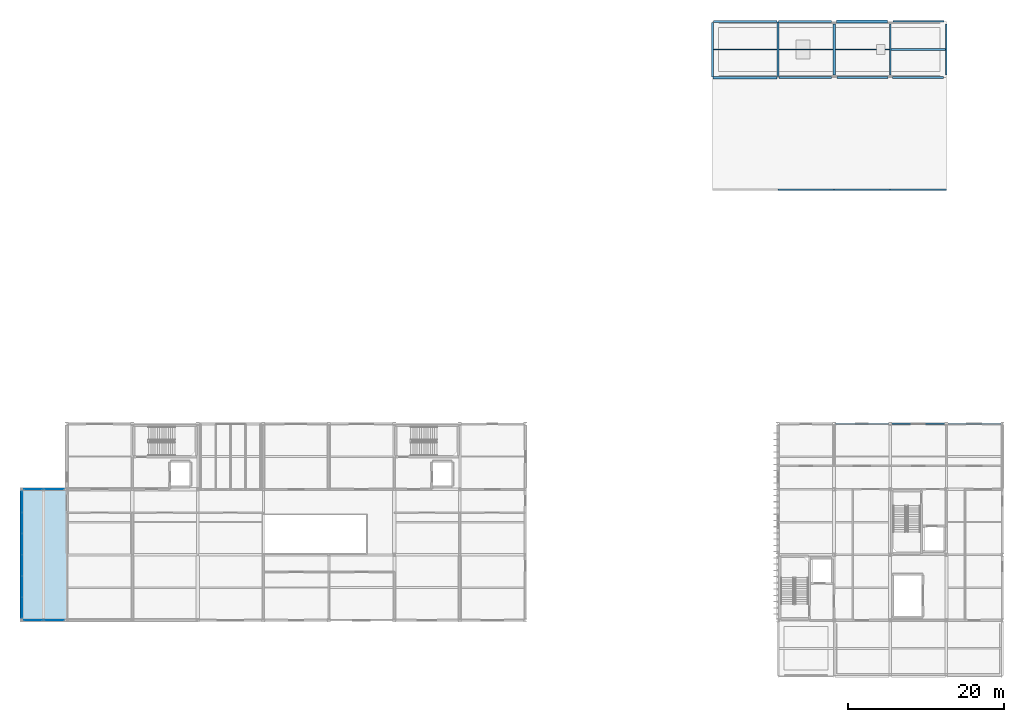
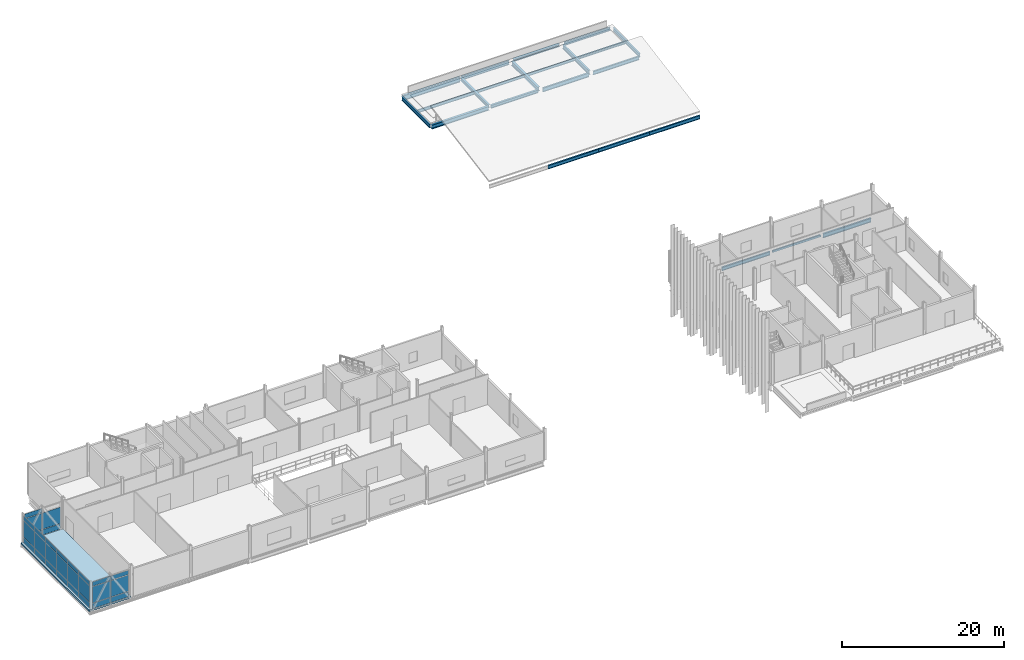
# One storey, part 18 of 45: 29 plates, 23 beams, 1 slab, 3 elements without a shape of their own.
"""IFC4 building model written with IfcOpenShell, lengths in metres."""

from ifc_helpers import new_model, si_unit, direction, frame, origin, origin_2d, place, context, subcontext, project, spatial, polyline, rectangle, hollow_rectangle, i_section, outline, extrude, material, layer, layer_set, material_profile, profile_set, type_object, element, aggregate, save


model = new_model("IFC4")

# Units and contexts
model_context = context("Model", 3, precision=1e-05, world=origin(), true_north=direction((0.0, 1.0)))
body_context = subcontext(model_context, "Body", "Model", "MODEL_VIEW")
ifc_project = project(units=[si_unit("LENGTHUNIT", "METRE"), si_unit("AREAUNIT", "SQUARE_METRE"), si_unit("VOLUMEUNIT", "CUBIC_METRE"), si_unit("PLANEANGLEUNIT", "RADIAN"), si_unit("MASSUNIT", "GRAM", prefix="KILO")], contexts=[model_context])

# Site, building, storey
site_placement = place(None, origin())
site = spatial("IfcSite", under=ifc_project, at=site_placement, CompositionType="ELEMENT")
building_placement = place(site_placement, origin())
building = spatial("IfcBuilding", under=site, at=building_placement, Name="Calvrana Isthmian Art Gallery", CompositionType="ELEMENT")
storey_placement = place(building_placement, frame((0.0, 0.0, 19.800048828125)))
storey = spatial("IfcBuildingStorey", under=building, at=storey_placement, Name="L04", CompositionType="ELEMENT", Elevation=19.800048828125)

# Beams
ifc_material_1 = material(Name="Steel ASTM A992 Gr 50", Category="steel")
ifc_material_profile_1 = material_profile(ifc_material_1, i_section(OverallWidth=0.279052734375, OverallDepth=0.4619140625, WebThickness=0.0107421875, FlangeThickness=0.017333984375, FilletRadius=0.02001953125, at=origin_2d()), Name="W18X76")
ifc_profile_set_1 = profile_set([ifc_material_profile_1], Name="Steel ASTM A992 Gr 50")
beam_type_1 = type_object("IfcBeamType", Name="BM-G-W18X76", PredefinedType="BEAM", material=ifc_profile_set_1)
beam_1_placement = place(storey_placement, frame((112.952392578125, 91.199951171875, -0.49609375), z_axis=(1.0, 0.0, 0.0), x_axis=(0.0, 1.0, 0.0)))
element("IfcBeam", 1, at=beam_1_placement, inside=storey, type_object=beam_type_1, Name="Girder X L04 15-16/M", PredefinedType="BEAM", context=body_context, shape_type="SweptSolid", body=[
    extrude(i_section(OverallWidth=0.279052734375, OverallDepth=0.4619140625, WebThickness=0.0107421875, FlangeThickness=0.017333984375, FilletRadius=0.02001953125, at=origin_2d()), origin(), (0.0, 0.0, 1.0), 6.697509765625),
])
beam_2_placement = place(storey_placement, frame((112.800048828125, 91.352294921875, -0.49609375), z_axis=(0.0, 1.0, 0.0), x_axis=(-1.0, 0.0, 0.0)))
element("IfcBeam", 2, at=beam_2_placement, inside=storey, type_object=beam_type_1, Name="Girder Y L04 15/M-N", PredefinedType="BEAM", context=body_context, shape_type="SweptSolid", body=[
    extrude(i_section(OverallWidth=0.279052734375, OverallDepth=0.4619140625, WebThickness=0.0107421875, FlangeThickness=0.017333984375, FilletRadius=0.02001953125, at=origin_2d()), origin(), (0.0, 0.0, 1.0), 6.946044921875),
])
ifc_material_profile_2 = material_profile(ifc_material_1, i_section(OverallWidth=0.208984375, OverallDepth=0.532958984375, WebThickness=0.01025390625, FlangeThickness=0.015625, FilletRadius=0.02099609375, at=origin_2d()), Name="W21X62")
ifc_profile_set_2 = profile_set([ifc_material_profile_2], Name="Steel ASTM A992 Gr 50")
beam_type_2 = type_object("IfcBeamType", Name="BM-G-W21X62", PredefinedType="BEAM", material=ifc_profile_set_2)
beam_3_placement = place(storey_placement, frame((120.1865234375, 46.800048828125, -0.531494140625), z_axis=(1.0, 0.0, 0.0), x_axis=(0.0, 1.0, 0.0)))
element("IfcBeam", 3, at=beam_3_placement, inside=storey, type_object=beam_type_2, Name="Girder X L04 16-17/G", PredefinedType="BEAM", context=body_context, shape_type="SweptSolid", body=[
    extrude(i_section(OverallWidth=0.208984375, OverallDepth=0.532958984375, WebThickness=0.01025390625, FlangeThickness=0.015625, FilletRadius=0.02099609375, at=origin_2d()), origin(), (0.0, 0.0, 1.0), 6.826904296875),
])
beam_4_placement = place(storey_placement, frame((127.550048828125, 98.39990234375, -0.531494140625), z_axis=(1.0, 0.0, 0.0), x_axis=(0.0, 1.0, 0.0)))
element("IfcBeam", 4, at=beam_4_placement, inside=storey, type_object=beam_type_2, Name="Girder X L04 17-18/N", PredefinedType="BEAM", context=body_context, shape_type="SweptSolid", body=[
    extrude(i_section(OverallWidth=0.208984375, OverallDepth=0.532958984375, WebThickness=0.01025390625, FlangeThickness=0.015625, FilletRadius=0.02099609375, at=origin_2d()), origin(), (0.0, 0.0, 1.0), 6.550048828125),
])
beam_5_placement = place(storey_placement, frame((104.39990234375, 91.301513671875, -0.531494140625), z_axis=(0.0, 1.0, 0.0), x_axis=(-1.0, 0.0, 0.0)))
element("IfcBeam", 5, at=beam_5_placement, inside=storey, type_object=beam_type_2, Name="Girder Y L04 14/M-N", PredefinedType="BEAM", context=body_context, shape_type="SweptSolid", body=[
    extrude(i_section(OverallWidth=0.208984375, OverallDepth=0.532958984375, WebThickness=0.01025390625, FlangeThickness=0.015625, FilletRadius=0.02099609375, at=origin_2d()), origin(), (0.0, 0.0, 1.0), 6.971435546875),
])
beam_6_placement = place(storey_placement, frame((134.39990234375, 91.550048828125, -0.531494140625), z_axis=(0.0, 1.0, 0.0), x_axis=(-1.0, 0.0, 0.0)))
element("IfcBeam", 6, at=beam_6_placement, inside=storey, type_object=beam_type_2, Name="Girder Y L04 18/M-N", PredefinedType="BEAM", context=body_context, shape_type="SweptSolid", body=[
    extrude(i_section(OverallWidth=0.208984375, OverallDepth=0.532958984375, WebThickness=0.01025390625, FlangeThickness=0.015625, FilletRadius=0.02099609375, at=origin_2d()), origin(), (0.0, 0.0, 1.0), 6.550048828125),
])
for number, where, z_axis, x_axis, name in (
    (7, (112.800048828125, 76.800048828125, -0.820068359375), (1.0, 0.0, 0.0), (0.0, 1.0, 0.0), "Sloped roof rafter SROOF_V5_CLER-32"),
    (8, (120.0, 76.800048828125, -0.820068359375), (1.0, 0.0, 0.0), (0.0, 1.0, 0.0), "Sloped roof rafter SROOF_V5_CLER-33"),
    (9, (127.199951171875, 76.800048828125, -0.820068359375), (1.0, 0.0, 0.0), (0.0, 1.0, 0.0), "Sloped roof rafter SROOF_V5_CLER-34"),
):
    element("IfcBeam", number, at=place(storey_placement, frame(where, z_axis=z_axis, x_axis=x_axis)), inside=storey, type_object=beam_type_2, Name=name, PredefinedType="BEAM", context=body_context, shape_type="SweptSolid", body=[
        extrude(i_section(OverallWidth=0.208984375, OverallDepth=0.532958984375, WebThickness=0.01025390625, FlangeThickness=0.015625, FilletRadius=0.02099609375, at=origin_2d()), origin(), (0.0, 0.0, 1.0), 7.199951171875),
    ])
ifc_material_profile_3 = material_profile(ifc_material_1, i_section(OverallWidth=0.214111328125, OverallDepth=0.549072265625, WebThickness=0.0146484375, FlangeThickness=0.023681640625, FilletRadius=0.02099609375, at=origin_2d()), Name="W21X93")
ifc_profile_set_3 = profile_set([ifc_material_profile_3], Name="Steel ASTM A992 Gr 50")
beam_type_3 = type_object("IfcBeamType", Name="BM-G-W21X93", PredefinedType="BEAM", material=ifc_profile_set_3)
beam_7_placement = place(storey_placement, frame((127.5, 91.199951171875, -0.53955078125), z_axis=(1.0, 0.0, 0.0), x_axis=(0.0, 1.0, 0.0)))
element("IfcBeam", 10, at=beam_7_placement, inside=storey, type_object=beam_type_3, Name="Girder X L04 17-18/M", PredefinedType="BEAM", context=body_context, shape_type="SweptSolid", body=[
    extrude(i_section(OverallWidth=0.214111328125, OverallDepth=0.549072265625, WebThickness=0.0146484375, FlangeThickness=0.023681640625, FilletRadius=0.02099609375, at=origin_2d()), origin(), (0.0, 0.0, 1.0), 6.550048828125),
])
ifc_material_profile_4 = material_profile(ifc_material_1, i_section(OverallWidth=0.324951171875, OverallDepth=0.612060546875, WebThickness=0.0126953125, FlangeThickness=0.01904296875, FilletRadius=0.02197265625, at=origin_2d()), Name="W24X104")
ifc_profile_set_4 = profile_set([ifc_material_profile_4], Name="Steel ASTM A992 Gr 50")
beam_type_4 = type_object("IfcBeamType", Name="BM-G-W24X104", PredefinedType="BEAM", material=ifc_profile_set_4)
beam_8_placement = place(storey_placement, frame((104.501708984375, 91.199951171875, -0.571044921875), z_axis=(1.0, 0.0, 0.0), x_axis=(0.0, 1.0, 0.0)))
element("IfcBeam", 11, at=beam_8_placement, inside=storey, type_object=beam_type_4, Name="Girder X L04 14-15/M", PredefinedType="BEAM", context=body_context, shape_type="SweptSolid", body=[
    extrude(i_section(OverallWidth=0.324951171875, OverallDepth=0.612060546875, WebThickness=0.0126953125, FlangeThickness=0.01904296875, FilletRadius=0.02197265625, at=origin_2d()), origin(), (0.0, 0.0, 1.0), 8.14599609375),
])
beam_9_placement = place(storey_placement, frame((120.0, 91.550048828125, -0.571044921875), z_axis=(0.0, 1.0, 0.0), x_axis=(-1.0, 0.0, 0.0)))
element("IfcBeam", 12, at=beam_9_placement, inside=storey, type_object=beam_type_4, Name="Girder Y L04 16/M-N", PredefinedType="BEAM", context=body_context, shape_type="SweptSolid", body=[
    extrude(i_section(OverallWidth=0.324951171875, OverallDepth=0.612060546875, WebThickness=0.0126953125, FlangeThickness=0.01904296875, FilletRadius=0.02197265625, at=origin_2d()), origin(), (0.0, 0.0, 1.0), 6.550048828125),
])
ifc_material_profile_5 = material_profile(ifc_material_1, i_section(OverallWidth=0.22802734375, OverallDepth=0.60693359375, WebThickness=0.01123046875, FlangeThickness=0.017333984375, FilletRadius=0.02197265625, at=origin_2d()), Name="W24X76")
ifc_profile_set_5 = profile_set([ifc_material_profile_5], Name="Steel ASTM A992 Gr 50")
beam_type_5 = type_object("IfcBeamType", Name="BM-G-W24X76", PredefinedType="BEAM", material=ifc_profile_set_5)
beam_10_placement = place(storey_placement, frame((134.58544921875, 46.800048828125, -0.568603515625), z_axis=(1.0, 0.0, 0.0), x_axis=(0.0, 1.0, 0.0)))
element("IfcBeam", 13, at=beam_10_placement, inside=storey, type_object=beam_type_5, Name="Girder X L04 18-19/G", PredefinedType="BEAM", context=body_context, shape_type="SweptSolid", body=[
    extrude(i_section(OverallWidth=0.22802734375, OverallDepth=0.60693359375, WebThickness=0.01123046875, FlangeThickness=0.017333984375, FilletRadius=0.02197265625, at=origin_2d()), origin(), (0.0, 0.0, 1.0), 6.83056640625),
])
beam_11_placement = place(storey_placement, frame((120.35009765625, 91.199951171875, -0.568603515625), z_axis=(1.0, 0.0, 0.0), x_axis=(0.0, 1.0, 0.0)))
element("IfcBeam", 14, at=beam_11_placement, inside=storey, type_object=beam_type_5, Name="Girder X L04 16-17/M", PredefinedType="BEAM", context=body_context, shape_type="SweptSolid", body=[
    extrude(i_section(OverallWidth=0.22802734375, OverallDepth=0.60693359375, WebThickness=0.01123046875, FlangeThickness=0.017333984375, FilletRadius=0.02197265625, at=origin_2d()), origin(), (0.0, 0.0, 1.0), 6.5498046875),
])
beam_12_placement = place(storey_placement, frame((112.901611328125, 98.39990234375, -0.568603515625), z_axis=(1.0, 0.0, 0.0), x_axis=(0.0, 1.0, 0.0)))
element("IfcBeam", 15, at=beam_12_placement, inside=storey, type_object=beam_type_5, Name="Girder X L04 15-16/N", PredefinedType="BEAM", context=body_context, shape_type="SweptSolid", body=[
    extrude(i_section(OverallWidth=0.22802734375, OverallDepth=0.60693359375, WebThickness=0.01123046875, FlangeThickness=0.017333984375, FilletRadius=0.02197265625, at=origin_2d()), origin(), (0.0, 0.0, 1.0), 6.79833984375),
])
beam_13_placement = place(storey_placement, frame((127.199951171875, 91.5, -0.568603515625), z_axis=(0.0, 1.0, 0.0), x_axis=(-1.0, 0.0, 0.0)))
element("IfcBeam", 16, at=beam_13_placement, inside=storey, type_object=beam_type_5, Name="Girder Y L04 17/M-N", PredefinedType="BEAM", context=body_context, shape_type="SweptSolid", body=[
    extrude(i_section(OverallWidth=0.22802734375, OverallDepth=0.60693359375, WebThickness=0.01123046875, FlangeThickness=0.017333984375, FilletRadius=0.02197265625, at=origin_2d()), origin(), (0.0, 0.0, 1.0), 6.550048828125),
])
ifc_material_profile_6 = material_profile(ifc_material_1, i_section(OverallWidth=0.26708984375, OverallDepth=0.761962890625, WebThickness=0.014404296875, FlangeThickness=0.021484375, FilletRadius=0.02490234375, at=origin_2d()), Name="W30X116")
ifc_profile_set_6 = profile_set([ifc_material_profile_6], Name="Steel ASTM A992 Gr 50")
beam_type_6 = type_object("IfcBeamType", Name="BM-G-W30X116", PredefinedType="BEAM", material=ifc_profile_set_6)
beam_14_placement = place(storey_placement, frame((104.527099609375, 98.39990234375, -0.64599609375), z_axis=(1.0, 0.0, 0.0), x_axis=(0.0, 1.0, 0.0)))
element("IfcBeam", 17, at=beam_14_placement, inside=storey, type_object=beam_type_6, Name="Girder X L04 14-15/N", PredefinedType="BEAM", context=body_context, shape_type="SweptSolid", body=[
    extrude(i_section(OverallWidth=0.26708984375, OverallDepth=0.761962890625, WebThickness=0.014404296875, FlangeThickness=0.021484375, FilletRadius=0.02490234375, at=origin_2d()), origin(), (0.0, 0.0, 1.0), 8.17138671875),
])
ifc_material_profile_7 = material_profile(ifc_material_1, i_section(OverallWidth=0.25390625, OverallDepth=0.35302734375, WebThickness=0.009521484375, FlangeThickness=0.016357421875, FilletRadius=0.01806640625, at=origin_2d()), Name="W14X61")
ifc_profile_set_7 = profile_set([ifc_material_profile_7], Name="Steel ASTM A992 Gr 50")
beam_type_7 = type_object("IfcBeamType", Name="BM-J-W14X61", PredefinedType="JOIST", material=ifc_profile_set_7)
beam_15_placement = place(storey_placement, frame((127.31396484375, 94.800048828125, -0.441650390625), z_axis=(1.0, 0.0, 0.0), x_axis=(0.0, 1.0, 0.0)))
element("IfcBeam", 18, at=beam_15_placement, inside=storey, type_object=beam_type_7, Name="Composite joist L04 bay 16-12", PredefinedType="JOIST", context=body_context, shape_type="SweptSolid", body=[
    extrude(i_section(OverallWidth=0.25390625, OverallDepth=0.35302734375, WebThickness=0.009521484375, FlangeThickness=0.016357421875, FilletRadius=0.01806640625, at=origin_2d()), origin(), (0.0, 0.0, 1.0), 6.9814453125),
])
ifc_material_profile_8 = material_profile(ifc_material_1, i_section(OverallWidth=0.177978515625, OverallDepth=0.404052734375, WebThickness=0.007568359375, FlangeThickness=0.010986328125, FilletRadius=0.01806640625, at=origin_2d()), Name="W16X36")
ifc_profile_set_8 = profile_set([ifc_material_profile_8], Name="Steel ASTM A992 Gr 50")
beam_type_8 = type_object("IfcBeamType", Name="BM-J-W16X36", PredefinedType="JOIST", material=ifc_profile_set_8)
beam_16_placement = place(storey_placement, frame((120.16259765625, 94.800048828125, -0.467041015625), z_axis=(1.0, 0.0, 0.0), x_axis=(0.0, 1.0, 0.0)))
element("IfcBeam", 19, at=beam_16_placement, inside=storey, type_object=beam_type_8, Name="Composite joist L04 bay 15-12", PredefinedType="JOIST", context=body_context, shape_type="SweptSolid", body=[
    extrude(i_section(OverallWidth=0.177978515625, OverallDepth=0.404052734375, WebThickness=0.007568359375, FlangeThickness=0.010986328125, FilletRadius=0.01806640625, at=origin_2d()), origin(), (0.0, 0.0, 1.0), 6.92333984375),
])
ifc_material_profile_9 = material_profile(ifc_material_1, i_section(OverallWidth=0.179931640625, OverallDepth=0.4140625, WebThickness=0.009765625, FlangeThickness=0.01611328125, FilletRadius=0.01806640625, at=origin_2d()), Name="W16X50")
ifc_profile_set_9 = profile_set([ifc_material_profile_9], Name="Steel ASTM A992 Gr 50")
beam_type_9 = type_object("IfcBeamType", Name="BM-J-W16X50", PredefinedType="JOIST", material=ifc_profile_set_9)
beam_17_placement = place(storey_placement, frame((112.939453125, 94.800048828125, -0.47216796875), z_axis=(1.0, 0.0, 0.0), x_axis=(0.0, 1.0, 0.0)))
element("IfcBeam", 20, at=beam_17_placement, inside=storey, type_object=beam_type_9, Name="Composite joist L04 bay 14-12", PredefinedType="JOIST", context=body_context, shape_type="SweptSolid", body=[
    extrude(i_section(OverallWidth=0.179931640625, OverallDepth=0.4140625, WebThickness=0.009765625, FlangeThickness=0.01611328125, FilletRadius=0.01806640625, at=origin_2d()), origin(), (0.0, 0.0, 1.0), 6.89794921875),
])
ifc_material_profile_10 = material_profile(ifc_material_1, i_section(OverallWidth=0.19091796875, OverallDepth=0.45703125, WebThickness=0.009033203125, FlangeThickness=0.014404296875, FilletRadius=0.02001953125, at=origin_2d()), Name="W18X50")
ifc_profile_set_10 = profile_set([ifc_material_profile_10], Name="Steel ASTM A992 Gr 50")
beam_type_10 = type_object("IfcBeamType", Name="BM-J-W18X50", PredefinedType="JOIST", material=ifc_profile_set_10)
beam_18_placement = place(storey_placement, frame((104.50439453125, 94.800048828125, -0.49365234375), z_axis=(1.0, 0.0, 0.0), x_axis=(0.0, 1.0, 0.0)))
element("IfcBeam", 21, at=beam_18_placement, inside=storey, type_object=beam_type_10, Name="Composite joist L04 bay 13-12", PredefinedType="JOIST", context=body_context, shape_type="SweptSolid", body=[
    extrude(i_section(OverallWidth=0.19091796875, OverallDepth=0.45703125, WebThickness=0.009033203125, FlangeThickness=0.014404296875, FilletRadius=0.02001953125, at=origin_2d()), origin(), (0.0, 0.0, 1.0), 8.156005859375),
])
ifc_material_2 = material(Name="Steel ASTM A500 Gr C", Category="steel")
ifc_material_profile_11 = material_profile(ifc_material_2, hollow_rectangle(XDim=0.203125, YDim=0.3046875, WallThickness=0.0126953125, OuterFilletRadius=0.02490234375, at=origin_2d()), Name="HSS305X203X12.7")
ifc_profile_set_11 = profile_set([ifc_material_profile_11], Name="Steel ASTM A500 Gr C")
beam_type_11 = type_object("IfcBeamType", Name="BM-SP-HSS305", PredefinedType="SPANDREL", material=ifc_profile_set_11)
beam_19_placement = place(storey_placement, frame((127.386474609375, 46.800048828125, -0.41748046875), z_axis=(1.0, 0.0, 0.0), x_axis=(0.0, 1.0, 0.0)))
element("IfcBeam", 22, at=beam_19_placement, inside=storey, type_object=beam_type_11, Name="Girder X L04 17-18/G", PredefinedType="SPANDREL", context=body_context, shape_type="SweptSolid", body=[
    extrude(hollow_rectangle(XDim=0.203125, YDim=0.3046875, WallThickness=0.0126953125, OuterFilletRadius=0.02490234375, at=origin_2d()), origin(), (0.0, 0.0, 1.0), 6.828125),
])
ifc_material_profile_12 = material_profile(ifc_material_1, i_section(OverallWidth=0.367919921875, OverallDepth=0.35595703125, WebThickness=0.01123046875, FlangeThickness=0.01806640625, FilletRadius=0.02490234375, at=origin_2d()), Name="W14X90")
ifc_profile_set_12 = profile_set([ifc_material_profile_12], Name="Steel ASTM A992 Gr 50")
beam_type_12 = type_object("IfcBeamType", Name="BM-SP-W14X90", PredefinedType="SPANDREL", material=ifc_profile_set_12)
beam_20_placement = place(storey_placement, frame((120.300048828125, 98.39990234375, -0.443115234375), z_axis=(1.0, 0.0, 0.0), x_axis=(0.0, 1.0, 0.0)))
element("IfcBeam", 23, at=beam_20_placement, inside=storey, type_object=beam_type_12, Name="Girder X L04 16-17/N", PredefinedType="SPANDREL", context=body_context, shape_type="SweptSolid", body=[
    extrude(i_section(OverallWidth=0.367919921875, OverallDepth=0.35595703125, WebThickness=0.01123046875, FlangeThickness=0.01806640625, FilletRadius=0.02490234375, at=origin_2d()), origin(), (0.0, 0.0, 1.0), 6.550048828125),
])

# Curtain wall, plates
ifc_material_3 = material(Name="Anodized bronze aluminium 6063-T6", Category="aluminium")
ifc_layer_1 = layer(ifc_material_3, 0.179931640625, Name="Anodized bronze aluminium 6063-T6")
ifc_layer_set_1 = layer_set([ifc_layer_1], Name="Anodized bronze aluminium 6063-T6")
curtain_wall_type_1 = type_object("IfcCurtainWallType", Name="CW-STICK-163X42", PredefinedType="NOTDEFINED", material=ifc_layer_set_1)
curtain_wall_1_placement = place(storey_placement, origin())
curtain_wall_1 = element("IfcCurtainWall", 24, at=curtain_wall_1_placement, inside=storey, type_object=curtain_wall_type_1, Name="Curtain wall CW-193", PredefinedType="NOTDEFINED")
ifc_material_4 = material(Name="Low-E laminated solar glass", Category="glass")
ifc_layer_2 = layer(ifc_material_4, 0.028076171875, Name="Low-E laminated solar glass")
ifc_layer_set_2 = layer_set([ifc_layer_2], Name="Low-E laminated solar glass")
plate_type = type_object("IfcPlateType", Name="CWP-VISION-28", PredefinedType="CURTAIN_PANEL", material=ifc_layer_set_2)
plate_1_placement = place(storey_placement, frame((15.85009765625, 23.223388671875, 0.070068359375), z_axis=(0.0, 0.0, 1.0), x_axis=(0.0, 1.0, 0.0)))
plate_1 = element("IfcPlate", 25, at=plate_1_placement, type_object=plate_type, Name="CW-193 panel 1.1", PredefinedType="CURTAIN_PANEL", context=body_context, shape_type="SweptSolid", body=[
    extrude(rectangle(XDim=2.626708984375, YDim=0.028076171875, at=origin_2d()), origin(), (0.0, 0.0, 1.0), 0.794921875),
])
plate_2_placement = place(storey_placement, frame((15.85009765625, 23.223388671875, 0.93505859375), z_axis=(0.0, 0.0, 1.0), x_axis=(0.0, 1.0, 0.0)))
plate_2 = element("IfcPlate", 26, at=plate_2_placement, type_object=plate_type, Name="CW-193 panel 1.2", PredefinedType="CURTAIN_PANEL", context=body_context, shape_type="SweptSolid", body=[
    extrude(rectangle(XDim=2.626708984375, YDim=0.028076171875, at=origin_2d()), origin(), (0.0, 0.0, 1.0), 2.44091796875),
])
plate_3_placement = place(storey_placement, frame((15.85009765625, 23.223388671875, 3.446044921875), z_axis=(0.0, 0.0, 1.0), x_axis=(0.0, 1.0, 0.0)))
plate_3 = element("IfcPlate", 27, at=plate_3_placement, type_object=plate_type, Name="CW-193 panel 1.3", PredefinedType="CURTAIN_PANEL", context=body_context, shape_type="SweptSolid", body=[
    extrude(rectangle(XDim=2.626708984375, YDim=0.028076171875, at=origin_2d()), origin(), (0.0, 0.0, 1.0), 0.64501953125),
])
plate_4_placement = place(storey_placement, frame((15.85009765625, 25.925048828125, 0.070068359375), z_axis=(0.0, 0.0, 1.0), x_axis=(0.0, 1.0, 0.0)))
plate_4 = element("IfcPlate", 28, at=plate_4_placement, type_object=plate_type, Name="CW-193 panel 2.1", PredefinedType="CURTAIN_PANEL", context=body_context, shape_type="SweptSolid", body=[
    extrude(rectangle(XDim=2.65673828125, YDim=0.028076171875, at=origin_2d()), origin(), (0.0, 0.0, 1.0), 0.794921875),
])
plate_5_placement = place(storey_placement, frame((15.85009765625, 25.925048828125, 0.93505859375), z_axis=(0.0, 0.0, 1.0), x_axis=(0.0, 1.0, 0.0)))
plate_5 = element("IfcPlate", 29, at=plate_5_placement, type_object=plate_type, Name="CW-193 panel 2.2", PredefinedType="CURTAIN_PANEL", context=body_context, shape_type="SweptSolid", body=[
    extrude(rectangle(XDim=2.65673828125, YDim=0.028076171875, at=origin_2d()), origin(), (0.0, 0.0, 1.0), 2.44091796875),
])
plate_6_placement = place(storey_placement, frame((15.85009765625, 25.925048828125, 3.446044921875), z_axis=(0.0, 0.0, 1.0), x_axis=(0.0, 1.0, 0.0)))
plate_6 = element("IfcPlate", 30, at=plate_6_placement, type_object=plate_type, Name="CW-193 panel 2.3", PredefinedType="CURTAIN_PANEL", context=body_context, shape_type="SweptSolid", body=[
    extrude(rectangle(XDim=2.65673828125, YDim=0.028076171875, at=origin_2d()), origin(), (0.0, 0.0, 1.0), 0.64501953125),
])
plate_7_placement = place(storey_placement, frame((15.85009765625, 28.6416015625, 0.070068359375), z_axis=(0.0, 0.0, 1.0), x_axis=(0.0, 1.0, 0.0)))
plate_7 = element("IfcPlate", 31, at=plate_7_placement, type_object=plate_type, Name="CW-193 panel 3.1", PredefinedType="CURTAIN_PANEL", context=body_context, shape_type="SweptSolid", body=[
    extrude(rectangle(XDim=2.65673828125, YDim=0.028076171875, at=origin_2d()), origin(), (0.0, 0.0, 1.0), 0.794921875),
])
plate_8_placement = place(storey_placement, frame((15.85009765625, 28.6416015625, 0.93505859375), z_axis=(0.0, 0.0, 1.0), x_axis=(0.0, 1.0, 0.0)))
plate_8 = element("IfcPlate", 32, at=plate_8_placement, type_object=plate_type, Name="CW-193 panel 3.2", PredefinedType="CURTAIN_PANEL", context=body_context, shape_type="SweptSolid", body=[
    extrude(rectangle(XDim=2.65673828125, YDim=0.028076171875, at=origin_2d()), origin(), (0.0, 0.0, 1.0), 2.44091796875),
])
plate_9_placement = place(storey_placement, frame((15.85009765625, 28.6416015625, 3.446044921875), z_axis=(0.0, 0.0, 1.0), x_axis=(0.0, 1.0, 0.0)))
plate_9 = element("IfcPlate", 33, at=plate_9_placement, type_object=plate_type, Name="CW-193 panel 3.3", PredefinedType="CURTAIN_PANEL", context=body_context, shape_type="SweptSolid", body=[
    extrude(rectangle(XDim=2.65673828125, YDim=0.028076171875, at=origin_2d()), origin(), (0.0, 0.0, 1.0), 0.64501953125),
])
plate_10_placement = place(storey_placement, frame((15.85009765625, 31.3583984375, 0.070068359375), z_axis=(0.0, 0.0, 1.0), x_axis=(0.0, 1.0, 0.0)))
plate_10 = element("IfcPlate", 34, at=plate_10_placement, type_object=plate_type, Name="CW-193 panel 4.1", PredefinedType="CURTAIN_PANEL", context=body_context, shape_type="SweptSolid", body=[
    extrude(rectangle(XDim=2.65673828125, YDim=0.028076171875, at=origin_2d()), origin(), (0.0, 0.0, 1.0), 0.794921875),
])
plate_11_placement = place(storey_placement, frame((15.85009765625, 31.3583984375, 0.93505859375), z_axis=(0.0, 0.0, 1.0), x_axis=(0.0, 1.0, 0.0)))
plate_11 = element("IfcPlate", 35, at=plate_11_placement, type_object=plate_type, Name="CW-193 panel 4.2", PredefinedType="CURTAIN_PANEL", context=body_context, shape_type="SweptSolid", body=[
    extrude(rectangle(XDim=2.65673828125, YDim=0.028076171875, at=origin_2d()), origin(), (0.0, 0.0, 1.0), 2.44091796875),
])
plate_12_placement = place(storey_placement, frame((15.85009765625, 31.3583984375, 3.446044921875), z_axis=(0.0, 0.0, 1.0), x_axis=(0.0, 1.0, 0.0)))
plate_12 = element("IfcPlate", 36, at=plate_12_placement, type_object=plate_type, Name="CW-193 panel 4.3", PredefinedType="CURTAIN_PANEL", context=body_context, shape_type="SweptSolid", body=[
    extrude(rectangle(XDim=2.65673828125, YDim=0.028076171875, at=origin_2d()), origin(), (0.0, 0.0, 1.0), 0.64501953125),
])
plate_13_placement = place(storey_placement, frame((15.85009765625, 34.074951171875, 0.070068359375), z_axis=(0.0, 0.0, 1.0), x_axis=(0.0, 1.0, 0.0)))
plate_13 = element("IfcPlate", 37, at=plate_13_placement, type_object=plate_type, Name="CW-193 panel 5.1", PredefinedType="CURTAIN_PANEL", context=body_context, shape_type="SweptSolid", body=[
    extrude(rectangle(XDim=2.65673828125, YDim=0.028076171875, at=origin_2d()), origin(), (0.0, 0.0, 1.0), 0.794921875),
])
plate_14_placement = place(storey_placement, frame((15.85009765625, 34.074951171875, 0.93505859375), z_axis=(0.0, 0.0, 1.0), x_axis=(0.0, 1.0, 0.0)))
plate_14 = element("IfcPlate", 38, at=plate_14_placement, type_object=plate_type, Name="CW-193 panel 5.2", PredefinedType="CURTAIN_PANEL", context=body_context, shape_type="SweptSolid", body=[
    extrude(rectangle(XDim=2.65673828125, YDim=0.028076171875, at=origin_2d()), origin(), (0.0, 0.0, 1.0), 2.44091796875),
])
plate_15_placement = place(storey_placement, frame((15.85009765625, 34.074951171875, 3.446044921875), z_axis=(0.0, 0.0, 1.0), x_axis=(0.0, 1.0, 0.0)))
plate_15 = element("IfcPlate", 39, at=plate_15_placement, type_object=plate_type, Name="CW-193 panel 5.3", PredefinedType="CURTAIN_PANEL", context=body_context, shape_type="SweptSolid", body=[
    extrude(rectangle(XDim=2.65673828125, YDim=0.028076171875, at=origin_2d()), origin(), (0.0, 0.0, 1.0), 0.64501953125),
])
plate_16_placement = place(storey_placement, frame((15.85009765625, 36.776611328125, 0.070068359375), z_axis=(0.0, 0.0, 1.0), x_axis=(0.0, 1.0, 0.0)))
plate_16 = element("IfcPlate", 40, at=plate_16_placement, type_object=plate_type, Name="CW-193 panel 6.1", PredefinedType="CURTAIN_PANEL", context=body_context, shape_type="SweptSolid", body=[
    extrude(rectangle(XDim=2.626708984375, YDim=0.028076171875, at=origin_2d()), origin(), (0.0, 0.0, 1.0), 0.794921875),
])
plate_17_placement = place(storey_placement, frame((15.85009765625, 36.776611328125, 0.93505859375), z_axis=(0.0, 0.0, 1.0), x_axis=(0.0, 1.0, 0.0)))
plate_17 = element("IfcPlate", 41, at=plate_17_placement, type_object=plate_type, Name="CW-193 panel 6.2", PredefinedType="CURTAIN_PANEL", context=body_context, shape_type="SweptSolid", body=[
    extrude(rectangle(XDim=2.626708984375, YDim=0.028076171875, at=origin_2d()), origin(), (0.0, 0.0, 1.0), 2.44091796875),
])
plate_18_placement = place(storey_placement, frame((15.85009765625, 36.776611328125, 3.446044921875), z_axis=(0.0, 0.0, 1.0), x_axis=(0.0, 1.0, 0.0)))
plate_18 = element("IfcPlate", 42, at=plate_18_placement, type_object=plate_type, Name="CW-193 panel 6.3", PredefinedType="CURTAIN_PANEL", context=body_context, shape_type="SweptSolid", body=[
    extrude(rectangle(XDim=2.626708984375, YDim=0.028076171875, at=origin_2d()), origin(), (0.0, 0.0, 1.0), 0.64501953125),
])
aggregate(curtain_wall_1, [plate_1, plate_2, plate_3, plate_4, plate_5, plate_6, plate_7, plate_8, plate_9, plate_10, plate_11, plate_12, plate_13, plate_14, plate_15, plate_16, plate_17, plate_18])

ifc_layer_3 = layer(ifc_material_3, 0.179931640625, Name="Anodized bronze aluminium 6063-T6")
ifc_layer_set_3 = layer_set([ifc_layer_3], Name="Anodized bronze aluminium 6063-T6")
curtain_wall_type_2 = type_object("IfcCurtainWallType", Name="CW-UNIT-052X42", PredefinedType="USERDEFINED", material=ifc_layer_set_3)
curtain_wall_2_placement = place(storey_placement, origin())
curtain_wall_2 = element("IfcCurtainWall", 43, at=curtain_wall_2_placement, inside=storey, type_object=curtain_wall_type_2, Name="Curtain wall CW-194", ObjectType="UNITISED CURTAIN WALL", PredefinedType="USERDEFINED")
plate_19_placement = place(storey_placement, frame((19.97119140625, 21.60009765625, 0.074951171875), z_axis=(0.0, 0.0, 1.0), x_axis=(-1.0, 0.0, 0.0)))
plate_19 = element("IfcPlate", 44, at=plate_19_placement, type_object=plate_type, Name="CW-194 panel 1.1", PredefinedType="CURTAIN_PANEL", context=body_context, shape_type="SweptSolid", body=[
    extrude(rectangle(XDim=2.527587890625, YDim=0.028076171875, at=origin_2d()), origin(), (0.0, 0.0, 1.0), 0.78759765625),
])
plate_20_placement = place(storey_placement, frame((19.97119140625, 21.60009765625, 0.9375), z_axis=(0.0, 0.0, 1.0), x_axis=(-1.0, 0.0, 0.0)))
plate_20 = element("IfcPlate", 45, at=plate_20_placement, type_object=plate_type, Name="CW-194 panel 1.2", PredefinedType="CURTAIN_PANEL", context=body_context, shape_type="SweptSolid", body=[
    extrude(rectangle(XDim=2.527587890625, YDim=0.028076171875, at=origin_2d()), origin(), (0.0, 0.0, 1.0), 2.43603515625),
])
plate_21_placement = place(storey_placement, frame((19.97119140625, 21.60009765625, 3.4482421875), z_axis=(0.0, 0.0, 1.0), x_axis=(-1.0, 0.0, 0.0)))
plate_21 = element("IfcPlate", 46, at=plate_21_placement, type_object=plate_type, Name="CW-194 panel 1.3", PredefinedType="CURTAIN_PANEL", context=body_context, shape_type="SweptSolid", body=[
    extrude(rectangle(XDim=2.527587890625, YDim=0.028076171875, at=origin_2d()), origin(), (0.0, 0.0, 1.0), 0.637451171875),
])
plate_22_placement = place(storey_placement, frame((17.378662109375, 21.60009765625, 0.074951171875), z_axis=(0.0, 0.0, 1.0), x_axis=(-1.0, 0.0, 0.0)))
plate_22 = element("IfcPlate", 47, at=plate_22_placement, type_object=plate_type, Name="CW-194 panel 2.1", PredefinedType="CURTAIN_PANEL", context=body_context, shape_type="SweptSolid", body=[
    extrude(rectangle(XDim=2.527587890625, YDim=0.028076171875, at=origin_2d()), origin(), (0.0, 0.0, 1.0), 0.78759765625),
])
plate_23_placement = place(storey_placement, frame((17.378662109375, 21.60009765625, 0.9375), z_axis=(0.0, 0.0, 1.0), x_axis=(-1.0, 0.0, 0.0)))
plate_23 = element("IfcPlate", 48, at=plate_23_placement, type_object=plate_type, Name="CW-194 panel 2.2", PredefinedType="CURTAIN_PANEL", context=body_context, shape_type="SweptSolid", body=[
    extrude(rectangle(XDim=2.527587890625, YDim=0.028076171875, at=origin_2d()), origin(), (0.0, 0.0, 1.0), 2.43603515625),
])
plate_24_placement = place(storey_placement, frame((17.378662109375, 21.60009765625, 3.4482421875), z_axis=(0.0, 0.0, 1.0), x_axis=(-1.0, 0.0, 0.0)))
plate_24 = element("IfcPlate", 49, at=plate_24_placement, type_object=plate_type, Name="CW-194 panel 2.3", PredefinedType="CURTAIN_PANEL", context=body_context, shape_type="SweptSolid", body=[
    extrude(rectangle(XDim=2.527587890625, YDim=0.028076171875, at=origin_2d()), origin(), (0.0, 0.0, 1.0), 0.637451171875),
])
aggregate(curtain_wall_2, [plate_19, plate_20, plate_21, plate_22, plate_23, plate_24])

curtain_wall_3_placement = place(storey_placement, origin())
curtain_wall_3 = element("IfcCurtainWall", 50, at=curtain_wall_3_placement, inside=storey, type_object=curtain_wall_type_2, Name="Curtain wall CW-195", ObjectType="UNITISED CURTAIN WALL", PredefinedType="USERDEFINED")
plate_25_placement = place(storey_placement, frame((17.3798828125, 38.39990234375, 0.059814453125), z_axis=(0.0, 0.0, 1.0), x_axis=(1.0, 0.0, 0.0)))
plate_25 = element("IfcPlate", 51, at=plate_25_placement, type_object=plate_type, Name="CW-195 panel 1.1", PredefinedType="CURTAIN_PANEL", context=body_context, shape_type="SweptSolid", body=[
    extrude(rectangle(XDim=2.52001953125, YDim=0.028076171875, at=origin_2d()), origin(), (0.0, 0.0, 1.0), 0.81005859375),
])
plate_26_placement = place(storey_placement, frame((17.3798828125, 38.39990234375, 0.93017578125), z_axis=(0.0, 0.0, 1.0), x_axis=(1.0, 0.0, 0.0)))
plate_26 = element("IfcPlate", 52, at=plate_26_placement, type_object=plate_type, Name="CW-195 panel 1.2", PredefinedType="CURTAIN_PANEL", context=body_context, shape_type="SweptSolid", body=[
    extrude(rectangle(XDim=2.52001953125, YDim=0.028076171875, at=origin_2d()), origin(), (0.0, 0.0, 1.0), 2.450927734375),
])
plate_27_placement = place(storey_placement, frame((17.3798828125, 38.39990234375, 3.44091796875), z_axis=(0.0, 0.0, 1.0), x_axis=(1.0, 0.0, 0.0)))
plate_27 = element("IfcPlate", 53, at=plate_27_placement, type_object=plate_type, Name="CW-195 panel 1.3", PredefinedType="CURTAIN_PANEL", context=body_context, shape_type="SweptSolid", body=[
    extrude(rectangle(XDim=2.52001953125, YDim=0.028076171875, at=origin_2d()), origin(), (0.0, 0.0, 1.0), 0.659912109375),
])
plate_28_placement = place(storey_placement, frame((19.969970703125, 38.39990234375, 0.059814453125), z_axis=(0.0, 0.0, 1.0), x_axis=(1.0, 0.0, 0.0)))
plate_28 = element("IfcPlate", 54, at=plate_28_placement, type_object=plate_type, Name="CW-195 panel 2.1", PredefinedType="CURTAIN_PANEL", context=body_context, shape_type="SweptSolid", body=[
    extrude(rectangle(XDim=2.52001953125, YDim=0.028076171875, at=origin_2d()), origin(), (0.0, 0.0, 1.0), 0.81005859375),
])
plate_29_placement = place(storey_placement, frame((19.969970703125, 38.39990234375, 0.93017578125), z_axis=(0.0, 0.0, 1.0), x_axis=(1.0, 0.0, 0.0)))
plate_29 = element("IfcPlate", 55, at=plate_29_placement, type_object=plate_type, Name="CW-195 panel 2.2", PredefinedType="CURTAIN_PANEL", context=body_context, shape_type="SweptSolid", body=[
    extrude(rectangle(XDim=2.52001953125, YDim=0.028076171875, at=origin_2d()), origin(), (0.0, 0.0, 1.0), 2.450927734375),
])
aggregate(curtain_wall_3, [plate_25, plate_26, plate_27, plate_28, plate_29])

# Slab
ifc_material_5 = material(Name="Concrete C40/50", Category="concrete")
ifc_layer_4 = layer(ifc_material_5, 0.239990234375, Name="Concrete C40/50")
ifc_layer_set_4 = layer_set([ifc_layer_4], Name="Concrete C40/50")
slab_type = type_object("IfcSlabType", Name="SLB-FLR-240", PredefinedType="FLOOR", material=ifc_layer_set_4)
slab_placement = place(storey_placement, frame((0.0, 0.0, -0.239990234375)))
element("IfcSlab", 56, at=slab_placement, inside=storey, type_object=slab_type, Name="Floor slab V1_LOOKOUT_L04", PredefinedType="FLOOR", context=body_context, shape_type="SweptSolid", body=[
    extrude(outline(polyline([(15.60009765625, 21.60009765625), (21.60009765625, 21.60009765625), (21.60009765625, 38.39990234375), (15.60009765625, 38.39990234375), (15.60009765625, 21.60009765625)])), origin(), (0.0, 0.0, 1.0), 0.239990234375),
])

save(model, "model.ifc")
